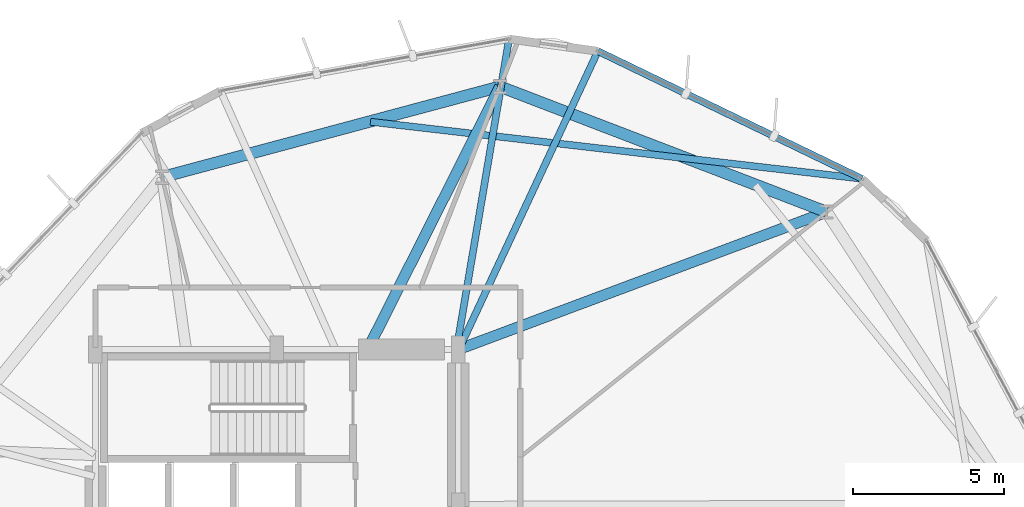
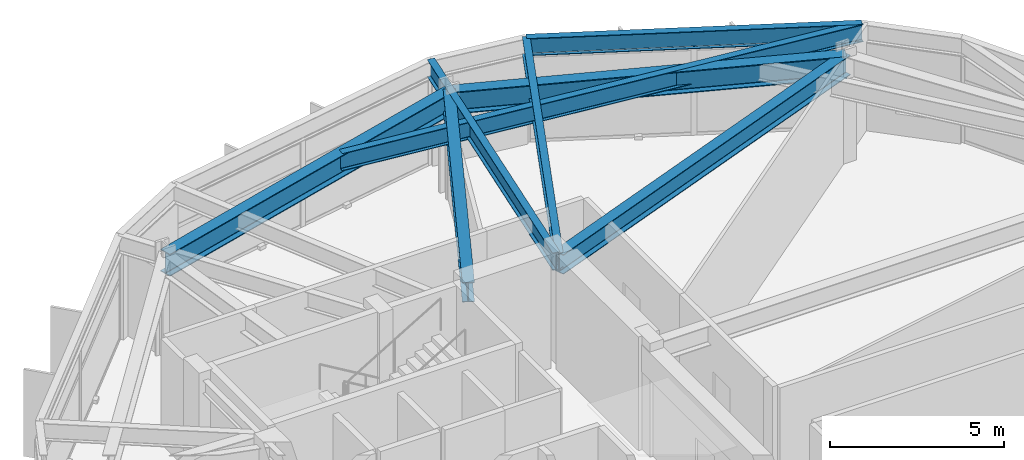
# One storey, part 13 of 22: 8 beams.
"""IFC4 building model written with IfcOpenShell, lengths in metres."""

from ifc_helpers import new_model, si_unit, direction, frame, origin, origin_2d, place, context, subcontext, project, spatial, i_section, extrude, material, material_profile, profile_set, type_object, element, save


model = new_model("IFC4")

# Units and contexts
model_context = context("Model", 3, precision=1e-05, world=origin(), true_north=direction((0.0, 1.0)))
body_context = subcontext(model_context, "Body", "Model", "MODEL_VIEW")
ifc_project = project(units=[si_unit("LENGTHUNIT", "METRE"), si_unit("AREAUNIT", "SQUARE_METRE"), si_unit("VOLUMEUNIT", "CUBIC_METRE"), si_unit("PLANEANGLEUNIT", "RADIAN"), si_unit("MASSUNIT", "GRAM", prefix="KILO")], contexts=[model_context])

# Site, building, storey
site_placement = place(None, origin())
site = spatial("IfcSite", under=ifc_project, at=site_placement, CompositionType="ELEMENT")
building_placement = place(site_placement, origin())
building = spatial("IfcBuilding", under=site, at=building_placement, Name="Soratama Intermodal Tower", CompositionType="ELEMENT")
storey_placement = place(building_placement, frame((0.0, 0.0, 66.60009765625)))
storey = spatial("IfcBuildingStorey", under=building, at=storey_placement, Name="L15", CompositionType="ELEMENT", Elevation=66.60009765625)

# Beams
ifc_material_1 = material(Name="Structural steel ASTM A992 Grade 50", Category="steel")
ifc_material_profile_1 = material_profile(ifc_material_1, i_section(OverallWidth=0.35498046875, OverallDepth=0.695068359375, WebThickness=0.015380859375, FlangeThickness=0.02490234375, FilletRadius=0.01611328125, at=origin_2d()), Name="W27X146")
ifc_profile_set_1 = profile_set([ifc_material_profile_1], Name="Structural steel ASTM A992 Grade 50")
beam_type_1 = type_object("IfcBeamType", Name="BM-RING-W27X146", PredefinedType="BEAM", material=ifc_profile_set_1)
beam_1_placement = place(storey_placement, frame((44.60009765625, 35.0, 3.352294921875), z_axis=(0.936827486358, 0.349791739189, 0.0), x_axis=(-0.349791739189, 0.936827486358, 0.0)))
element("IfcBeam", 1, at=beam_1_placement, inside=storey, type_object=beam_type_1, Name="BM-L15-RAD-02", PredefinedType="BEAM", context=body_context, shape_type="SweptSolid", body=[
    extrude(i_section(OverallWidth=0.35498046875, OverallDepth=0.695068359375, WebThickness=0.015380859375, FlangeThickness=0.02490234375, FilletRadius=0.01611328125, at=origin_2d()), origin(), (0.0, 0.0, 1.0), 13.002197265625),
])
beam_2_placement = place(storey_placement, frame((41.60009765625, 35.0, 3.352294921875), z_axis=(0.449910017166, 0.893073891934, 0.0), x_axis=(-0.893073891934, 0.449910017166, 0.0)))
element("IfcBeam", 2, at=beam_2_placement, inside=storey, type_object=beam_type_1, Name="BM-L15-RAD-03", PredefinedType="BEAM", context=body_context, shape_type="SweptSolid", body=[
    extrude(i_section(OverallWidth=0.35498046875, OverallDepth=0.695068359375, WebThickness=0.015380859375, FlangeThickness=0.02490234375, FilletRadius=0.01611328125, at=origin_2d()), origin(), (0.0, 0.0, 1.0), 9.735107421875),
])
ifc_material_2 = material(Name="Structural steel ASTM A992 Grade 50", Category="steel")
ifc_material_profile_2 = material_profile(ifc_material_2, i_section(OverallWidth=0.382080078125, OverallDepth=0.779052734375, WebThickness=0.01806640625, FlangeThickness=0.030029296875, FilletRadius=0.01806640625, at=origin_2d()), Name="W30X191")
ifc_profile_set_2 = profile_set([ifc_material_profile_2], Name="Structural steel ASTM A992 Grade 50")
beam_type_2 = type_object("IfcBeamType", Name="BM-RING-W30X191", PredefinedType="BEAM", material=ifc_profile_set_2)
beam_3_placement = place(storey_placement, frame((56.781005859375, 39.548095703125, 3.310302734375), z_axis=(-0.933584159632, 0.358358224246, 0.0), x_axis=(-0.358358224246, -0.933584159632, 0.0)))
element("IfcBeam", 3, at=beam_3_placement, inside=storey, type_object=beam_type_2, Name="BM-L15-RING-02", PredefinedType="BEAM", context=body_context, shape_type="SweptSolid", body=[
    extrude(i_section(OverallWidth=0.382080078125, OverallDepth=0.779052734375, WebThickness=0.01806640625, FlangeThickness=0.030029296875, FilletRadius=0.01806640625, at=origin_2d()), origin(), (0.0, 0.0, 1.0), 11.5693359375),
])
beam_4_placement = place(storey_placement, frame((45.97998046875, 43.694091796875, 3.310302734375), z_axis=(-0.965935902196, -0.258781438376, 0.0), x_axis=(0.258781438376, -0.965935902196, 0.0)))
element("IfcBeam", 4, at=beam_4_placement, inside=storey, type_object=beam_type_2, Name="BM-L15-RING-03", PredefinedType="BEAM", context=body_context, shape_type="SweptSolid", body=[
    extrude(i_section(OverallWidth=0.382080078125, OverallDepth=0.779052734375, WebThickness=0.01806640625, FlangeThickness=0.030029296875, FilletRadius=0.01806640625, at=origin_2d()), origin(), (0.0, 0.0, 1.0), 11.570068359375),
])
ifc_material_3 = material(Name="Structural steel ASTM A992 Grade 50", Category="steel")
ifc_material_profile_3 = material_profile(ifc_material_3, i_section(OverallWidth=0.22900390625, OverallDepth=0.612060546875, WebThickness=0.011962890625, FlangeThickness=0.01953125, FilletRadius=0.012939453125, at=origin_2d()), Name="W24X84")
ifc_profile_set_3 = profile_set([ifc_material_profile_3], Name="Structural steel ASTM A992 Grade 50")
beam_type_3 = type_object("IfcBeamType", Name="BM-SPN-W24X84", PredefinedType="SPANDREL", material=ifc_profile_set_3)
beam_5_placement = place(storey_placement, frame((57.949951171875, 40.64697265625, 3.393798828125), z_axis=(-0.900309165628, 0.435250969312, 0.0), x_axis=(-0.435250969312, -0.900309165628, 0.0)))
element("IfcBeam", 5, at=beam_5_placement, inside=storey, type_object=beam_type_3, Name="BS-L15-F02", PredefinedType="SPANDREL", context=body_context, shape_type="SweptSolid", body=[
    extrude(i_section(OverallWidth=0.22900390625, OverallDepth=0.612060546875, WebThickness=0.011962890625, FlangeThickness=0.01953125, FilletRadius=0.012939453125, at=origin_2d()), origin(), (0.0, 0.0, 1.0), 9.69775390625),
])
ifc_material_4 = material(Name="Structural steel ASTM A992 Grade 50", Category="steel")
ifc_material_profile_4 = material_profile(ifc_material_4, i_section(OverallWidth=0.22900390625, OverallDepth=0.612060546875, WebThickness=0.011962890625, FlangeThickness=0.01953125, FilletRadius=0.012939453125, at=origin_2d()), Name="W24X84")
ifc_profile_set_4 = profile_set([ifc_material_profile_4], Name="Structural steel ASTM A992 Grade 50")
beam_type_4 = type_object("IfcBeamType", Name="BM-TIE-W24X84", PredefinedType="BEAM", material=ifc_profile_set_4)
beam_6_placement = place(storey_placement, frame((41.696044921875, 42.531005859375, 3.393798828125), z_axis=(0.99334907534, -0.115141714948, 0.0), x_axis=(0.115141714948, 0.99334907534, 0.0)))
element("IfcBeam", 6, at=beam_6_placement, inside=storey, type_object=beam_type_4, Name="BM-L15-TIE0-02", PredefinedType="BEAM", context=body_context, shape_type="SweptSolid", body=[
    extrude(i_section(OverallWidth=0.22900390625, OverallDepth=0.612060546875, WebThickness=0.011962890625, FlangeThickness=0.01953125, FilletRadius=0.012939453125, at=origin_2d()), origin(), (0.0, 0.0, 1.0), 16.36279296875),
])
beam_7_placement = place(storey_placement, frame((44.616943359375, 34.993896484375, 3.393798828125), z_axis=(0.422446193976, 0.906388003669, 0.0), x_axis=(-0.906388003669, 0.422446193976, 0.0)))
element("IfcBeam", 7, at=beam_7_placement, inside=storey, type_object=beam_type_4, Name="BM-L15-TIE1-02", PredefinedType="BEAM", context=body_context, shape_type="SweptSolid", body=[
    extrude(i_section(OverallWidth=0.22900390625, OverallDepth=0.612060546875, WebThickness=0.011962890625, FlangeThickness=0.01953125, FilletRadius=0.012939453125, at=origin_2d()), origin(), (0.0, 0.0, 1.0), 10.893798828125),
])
beam_8_placement = place(storey_placement, frame((44.547119140625, 35.0390625, 3.393798828125), z_axis=(0.166984970494, 0.985959441168, 0.0), x_axis=(-0.985959441168, 0.166984970494, 0.0)))
element("IfcBeam", 8, at=beam_8_placement, inside=storey, type_object=beam_type_4, Name="BM-L15-TIE0-03", PredefinedType="BEAM", context=body_context, shape_type="SweptSolid", body=[
    extrude(i_section(OverallWidth=0.22900390625, OverallDepth=0.612060546875, WebThickness=0.011962890625, FlangeThickness=0.01953125, FilletRadius=0.012939453125, at=origin_2d()), origin(), (0.0, 0.0, 1.0), 10.377685546875),
])

save(model, "model.ifc")
